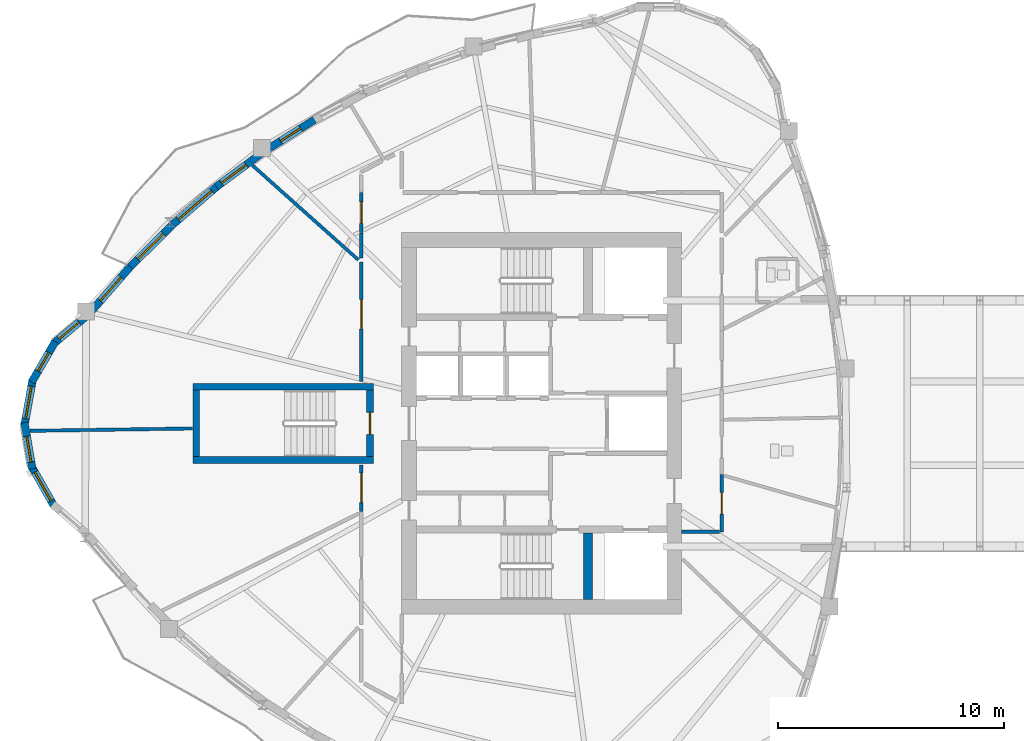
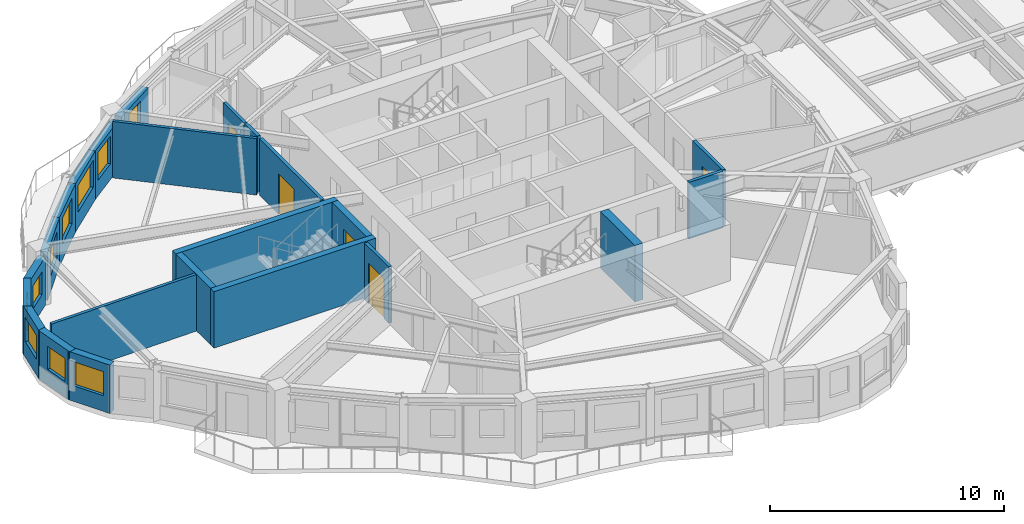
# One storey, part 5 of 13: 23 walls, 10 windows, 5 doors, 15 openings.
"""IFC4 building model written with IfcOpenShell, lengths in metres."""

from ifc_helpers import new_model, si_unit, direction, frame, frame_2d, origin, place, context, subcontext, project, spatial, rectangle, extrude, source, transform, mapped, material, layer, layer_set, type_object, element, fill, save


model = new_model("IFC4")

# Units and contexts
model_context = context("Model", 3, precision=1e-05, world=origin(), true_north=direction((0.0, 1.0)))
body_context = subcontext(model_context, "Body", "Model", "MODEL_VIEW")
ifc_project = project(units=[si_unit("LENGTHUNIT", "METRE"), si_unit("AREAUNIT", "SQUARE_METRE"), si_unit("VOLUMEUNIT", "CUBIC_METRE"), si_unit("PLANEANGLEUNIT", "RADIAN"), si_unit("MASSUNIT", "GRAM", prefix="KILO")], contexts=[model_context])

# Site, building, storey
site_placement = place(None, origin())
site = spatial("IfcSite", under=ifc_project, at=site_placement, CompositionType="ELEMENT")
building_placement = place(site_placement, origin())
building = spatial("IfcBuilding", under=site, at=building_placement, Name="Qafzar Sky-Pleat Residences", CompositionType="ELEMENT")
storey_placement = place(building_placement, frame((0.0, 0.0, 158.60009765625)))
storey = spatial("IfcBuildingStorey", under=building, at=storey_placement, Name="L47", CompositionType="ELEMENT", Elevation=158.60009765625)

# Wall, opening, door
ifc_material_1 = material(Name="Acoustic gypsum plasterboard partition", Category="gypsum")
ifc_layer_1 = layer(ifc_material_1, 0.159912109375)
ifc_layer_set_1 = layer_set([ifc_layer_1], Name="Acoustic gypsum plasterboard partition")
wall_type_1 = type_object("IfcWallType", Name="PART-COR-160", PredefinedType="PARTITIONING", material=ifc_layer_set_1)
wall_1_placement = place(storey_placement, frame((22.3701171875, 27.85009765625, 0.0), z_axis=(0.0, 0.0, 1.0), x_axis=(0.0, 1.0, 0.0)))
wall_1 = element("IfcWall", 1, at=wall_1_placement, inside=storey, type_object=wall_type_1, Name="L47 Partition Wall PART-L47-PW-003", PredefinedType="PARTITIONING", context=body_context, shape_type="SweptSolid", body=[
    extrude(rectangle(XDim=5.2939453125, YDim=0.159912109375, at=frame_2d((2.64697265625, 0.0))), origin(), (0.0, 0.0, 1.0), 2.949951171875),
])
opening_1_placement = place(wall_1_placement, frame((2.340576171875, 0.0, 0.0)))
opening_1 = element("IfcOpeningElement", 2, at=opening_1_placement, cuts=wall_1, Name="Opening ID-05", PredefinedType="OPENING", context=body_context, shape_type="SweptSolid", body=[
    extrude(rectangle(XDim=1.300048828125, YDim=2.10009765625, at=frame_2d((0.64990234375, 1.050048828125))), frame((0.0, 0.08984375, 0.0), z_axis=(0.0, -1.0, 0.0), x_axis=(1.0, 0.0, 0.0)), (0.0, 0.0, 1.0), 0.179931640625),
])
ifc_material_2 = material(Name="Timber-faced fire door", Category="wood")
door_type_1 = type_object("IfcDoorType", Name="DR-LNG-1300", OperationType="DOUBLE_DOOR_SINGLE_SWING", PredefinedType="DOOR", material=ifc_material_2)
shared_shape_1 = source(origin(), body_context, "Body", "SweptSolid", [
    extrude(rectangle(XDim=1.300048828125, YDim=2.10009765625, at=frame_2d((0.64990234375, 1.050048828125))), frame((0.0, 0.02490234375, 0.0), z_axis=(0.0, -1.0, 0.0), x_axis=(1.0, 0.0, 0.0)), (0.0, 0.0, 1.0), 0.050048828125),
])
door_1_placement = place(opening_1_placement, origin())
door_1 = element("IfcDoor", 3, at=door_1_placement, inside=storey, type_object=door_type_1, Name="L47 Tutorial Huddle Room Door", OperationType="DOUBLE_DOOR_SINGLE_SWING", OverallHeight=2.10009765625, OverallWidth=1.300048828125, PredefinedType="DOOR", context=body_context, shape_type="MappedRepresentation", body=[
    mapped(shared_shape_1, transform((0.0, 0.0, 0.0), x_axis=(1.0, 0.0, 0.0), y_axis=(0.0, 1.0, 0.0), z_axis=(0.0, 0.0, 1.0), scale=1.0)),
])
fill(opening_1, door_1)

wall_2_placement = place(storey_placement, frame((38.330078125, 23.735107421875, 0.0), z_axis=(0.0, 0.0, 1.0), x_axis=(0.0, -1.0, 0.0)))
wall_2 = element("IfcWall", 4, at=wall_2_placement, inside=storey, type_object=wall_type_1, Name="L47 Partition Wall PART-L47-PW-011", PredefinedType="PARTITIONING", context=body_context, shape_type="SweptSolid", body=[
    extrude(rectangle(XDim=2.53515625, YDim=0.159912109375, at=frame_2d((1.267578125, 0.0))), origin(), (0.0, 0.0, 1.0), 2.949951171875),
])
opening_2_placement = place(wall_2_placement, frame((0.79541015625, 0.0, 0.0)))
opening_2 = element("IfcOpeningElement", 5, at=opening_2_placement, cuts=wall_2, Name="Opening ID-06", PredefinedType="OPENING", context=body_context, shape_type="SweptSolid", body=[
    extrude(rectangle(XDim=0.9599609375, YDim=2.10009765625, at=frame_2d((0.47998046875, 1.050048828125))), frame((0.0, 0.08984375, 0.0), z_axis=(0.0, -1.0, 0.0), x_axis=(1.0, 0.0, 0.0)), (0.0, 0.0, 1.0), 0.179931640625),
])
door_type_2 = type_object("IfcDoorType", Name="DR-STD-960", OperationType="NOTDEFINED", PredefinedType="DOOR", material=ifc_material_2)
shared_shape_2 = source(origin(), body_context, "Body", "SweptSolid", [
    extrude(rectangle(XDim=0.9599609375, YDim=2.10009765625, at=frame_2d((0.47998046875, 1.050048828125))), frame((0.0, 0.02490234375, 0.0), z_axis=(0.0, -1.0, 0.0), x_axis=(1.0, 0.0, 0.0)), (0.0, 0.0, 1.0), 0.050048828125),
])
door_2_placement = place(opening_2_placement, origin())
door_2 = element("IfcDoor", 6, at=door_2_placement, inside=storey, type_object=door_type_2, Name="L47 Reading Library Door", OperationType="SINGLE_SWING_RIGHT", OverallHeight=2.10009765625, OverallWidth=0.9599609375, PredefinedType="DOOR", context=body_context, shape_type="MappedRepresentation", body=[
    mapped(shared_shape_2, transform((0.0, 0.0, 0.0), x_axis=(1.0, 0.0, 0.0), y_axis=(0.0, 1.0, 0.0), z_axis=(0.0, 0.0, 1.0), scale=1.0)),
])
fill(opening_2, door_2)

wall_3_placement = place(storey_placement, frame((22.3701171875, 22.093994140625, 0.0), z_axis=(0.0, 0.0, 1.0), x_axis=(0.0, 1.0, 0.0)))
wall_3 = element("IfcWall", 7, at=wall_3_placement, inside=storey, type_object=wall_type_1, Name="L47 Partition Wall PART-L47-PW-013", PredefinedType="PARTITIONING", context=body_context, shape_type="SweptSolid", body=[
    extrude(rectangle(XDim=2.055908203125, YDim=0.159912109375, at=frame_2d((1.02783203125, 0.0))), origin(), (0.0, 0.0, 1.0), 2.949951171875),
])
opening_3_placement = place(wall_3_placement, frame((0.39990234375, 0.0, 0.0)))
opening_3 = element("IfcOpeningElement", 8, at=opening_3_placement, cuts=wall_3, Name="Opening ID-05", PredefinedType="OPENING", context=body_context, shape_type="SweptSolid", body=[
    extrude(rectangle(XDim=1.300048828125, YDim=2.10009765625, at=frame_2d((0.64990234375, 1.050048828125))), frame((0.0, 0.08984375, 0.0), z_axis=(0.0, -1.0, 0.0), x_axis=(1.0, 0.0, 0.0)), (0.0, 0.0, 1.0), 0.179931640625),
])
door_3_placement = place(opening_3_placement, origin())
door_3 = element("IfcDoor", 9, at=door_3_placement, inside=storey, type_object=door_type_1, Name="L47 Research Conference Room Door", OperationType="DOUBLE_DOOR_SINGLE_SWING", OverallHeight=2.10009765625, OverallWidth=1.300048828125, PredefinedType="DOOR", context=body_context, shape_type="MappedRepresentation", body=[
    mapped(shared_shape_1, transform((0.0, 0.0, 0.0), x_axis=(1.0, 0.0, 0.0), y_axis=(0.0, 1.0, 0.0), z_axis=(0.0, 0.0, 1.0), scale=1.0)),
])
fill(opening_3, door_3)

wall_4_placement = place(storey_placement, frame((22.3701171875, 34.449951171875, 0.0), z_axis=(0.0, 0.0, 1.0), x_axis=(0.0, 1.0, 0.0)))
wall_4 = element("IfcWall", 10, at=wall_4_placement, inside=storey, type_object=wall_type_1, Name="L47 Partition Wall PART-L47-PW-015", PredefinedType="PARTITIONING", context=body_context, shape_type="SweptSolid", body=[
    extrude(rectangle(XDim=1.780029296875, YDim=0.159912109375, at=frame_2d((0.89013671875, 0.0))), origin(), (0.0, 0.0, 1.0), 2.949951171875),
])
opening_4_placement = place(wall_4_placement, frame((0.409912109375, 0.0, 0.0)))
opening_4 = element("IfcOpeningElement", 11, at=opening_4_placement, cuts=wall_4, Name="Opening ID-06", PredefinedType="OPENING", context=body_context, shape_type="SweptSolid", body=[
    extrude(rectangle(XDim=0.9599609375, YDim=2.10009765625, at=frame_2d((0.47998046875, 1.050048828125))), frame((0.0, 0.08984375, 0.0), z_axis=(0.0, -1.0, 0.0), x_axis=(1.0, 0.0, 0.0)), (0.0, 0.0, 1.0), 0.179931640625),
])
door_4_placement = place(opening_4_placement, origin())
door_4 = element("IfcDoor", 12, at=door_4_placement, inside=storey, type_object=door_type_2, Name="L47 Communal Kitchen Door", OperationType="SINGLE_SWING_LEFT", OverallHeight=2.10009765625, OverallWidth=0.9599609375, PredefinedType="DOOR", context=body_context, shape_type="MappedRepresentation", body=[
    mapped(shared_shape_2, transform((0.0, 0.0, 0.0), x_axis=(1.0, 0.0, 0.0), y_axis=(0.0, 1.0, 0.0), z_axis=(0.0, 0.0, 1.0), scale=1.0)),
])
fill(opening_4, door_4)

# Walls
wall_5_placement = place(storey_placement, frame((36.55810546875, 21.199951171875, 0.0), z_axis=(0.0, 0.0, 1.0), x_axis=(1.0, 0.0, 0.0)))
element("IfcWall", 13, at=wall_5_placement, inside=storey, type_object=wall_type_1, Name="L47 Partition Wall PART-L47-PW-032", PredefinedType="PARTITIONING", context=body_context, shape_type="SweptSolid", body=[
    extrude(rectangle(XDim=1.683837890625, YDim=0.159912109375, at=frame_2d((0.841796875, 0.0))), origin(), (0.0, 0.0, 1.0), 2.949951171875),
])
wall_6_placement = place(storey_placement, frame((22.3701171875, 33.335693359375, 0.0), z_axis=(0.0, 0.0, 1.0), x_axis=(0.0, 1.0, 0.0)))
element("IfcWall", 14, at=wall_6_placement, inside=storey, type_object=wall_type_1, Name="L47 Partition Wall PART-L47-PW-040", PredefinedType="PARTITIONING", context=body_context, shape_type="SweptSolid", body=[
    extrude(rectangle(XDim=1.099365234375, YDim=0.159912109375, at=frame_2d((0.5498046875, 0.0))), origin(), (0.0, 0.0, 1.0), 2.949951171875),
])
ifc_layer_2 = layer(ifc_material_1, 0.14501953125)
ifc_layer_set_2 = layer_set([ifc_layer_2], Name="Acoustic gypsum plasterboard partition")
wall_type_2 = type_object("IfcWallType", Name="PART-UNIT-145", PredefinedType="PARTITIONING", material=ifc_layer_set_2)
wall_7_placement = place(storey_placement, frame((7.689453125, 25.67138671875, 0.0), z_axis=(0.0, 0.0, 1.0), x_axis=(0.999894747293, 0.014508422953, 0.0)))
element("IfcWall", 15, at=wall_7_placement, inside=storey, type_object=wall_type_2, Name="L47 Partition Wall PART-L47-PW-019", PredefinedType="PARTITIONING", context=body_context, shape_type="SweptSolid", body=[
    extrude(rectangle(XDim=7.2021484375, YDim=0.14501953125, at=frame_2d((3.60107421875, 0.0))), origin(), (0.0, 0.0, 1.0), 2.949951171875),
])
wall_8_placement = place(storey_placement, frame((17.544921875, 37.431640625, 0.0), z_axis=(0.0, 0.0, 1.0), x_axis=(0.745965905636, -0.665984134668, 0.0)))
element("IfcWall", 16, at=wall_8_placement, inside=storey, type_object=wall_type_2, Name="L47 Partition Wall PART-L47-PW-021", PredefinedType="PARTITIONING", context=body_context, shape_type="SweptSolid", body=[
    extrude(rectangle(XDim=6.2880859375, YDim=0.14501953125, at=frame_2d((3.14404296875, 0.0))), origin(), (0.0, 0.0, 1.0), 2.949951171875),
])

# Wall, opening, window
ifc_material_3 = material(Name="Precast concrete C40/50 with honed Riyadh limestone", Category="concrete")
ifc_layer_3 = layer(ifc_material_3, 0.340087890625)
ifc_layer_set_3 = layer_set([ifc_layer_3], Name="Precast concrete C40/50 with honed Riyadh limestone")
wall_type_3 = type_object("IfcWallType", Name="WALL-EXT-340", PredefinedType="SOLIDWALL", material=ifc_layer_set_3)
wall_9_placement = place(storey_placement, frame((10.1640625, 30.737548828125, 0.0), z_axis=(0.0, 0.0, 1.0), x_axis=(-0.766501557267, -0.64224244854, 0.0)))
wall_9 = element("IfcWall", 17, at=wall_9_placement, inside=storey, type_object=wall_type_3, Name="L47 Limestone Facade Wall 1", PredefinedType="SOLIDWALL", context=body_context, shape_type="SweptSolid", body=[
    extrude(rectangle(XDim=1.88818359375, YDim=0.340087890625, at=frame_2d((0.944091796875, 0.0))), origin(), (0.0, 0.0, 1.0), 2.52978515625),
])
opening_5_placement = place(wall_9_placement, frame((0.404052734375, 0.0, 0.820068359375)))
opening_5 = element("IfcOpeningElement", 18, at=opening_5_placement, cuts=wall_9, Name="Opening WN-16", PredefinedType="OPENING", context=body_context, shape_type="SweptSolid", body=[
    extrude(rectangle(XDim=1.14990234375, YDim=1.199951171875, at=frame_2d((0.574951171875, 0.60009765625))), frame((0.0, 0.18017578125, 0.0), z_axis=(0.0, -1.0, 0.0), x_axis=(1.0, 0.0, 0.0)), (0.0, 0.0, 1.0), 0.360107421875),
])
ifc_material_4 = material(Name="Solar-control low-E glass in bronze aluminium frame", Category="glass")
window_type_1 = type_object("IfcWindowType", Name="WIN-16", PartitioningType="SINGLE_PANEL", PredefinedType="WINDOW", material=ifc_material_4)
shared_shape_3 = source(origin(), body_context, "Body", "SweptSolid", [
    extrude(rectangle(XDim=1.14990234375, YDim=1.199951171875, at=frame_2d((0.574951171875, 0.60009765625))), frame((0.0, 0.030029296875, 0.0), z_axis=(0.0, -1.0, 0.0), x_axis=(1.0, 0.0, 0.0)), (0.0, 0.0, 1.0), 0.06005859375),
])
window_1_placement = place(opening_5_placement, origin())
window_1 = element("IfcWindow", 19, at=window_1_placement, inside=storey, type_object=window_type_1, Name="L47 Punched Facade Window 01", OverallHeight=1.199951171875, OverallWidth=1.14990234375, PartitioningType="SINGLE_PANEL", PredefinedType="WINDOW", context=body_context, shape_type="MappedRepresentation", body=[
    mapped(shared_shape_3, transform((0.0, 0.0, 0.0), x_axis=(1.0, 0.0, 0.0), y_axis=(0.0, 1.0, 0.0), z_axis=(0.0, 0.0, 1.0), scale=1.0)),
])
fill(opening_5, window_1)

wall_10_placement = place(storey_placement, frame((8.802734375, 29.627197265625, 0.0), z_axis=(0.0, 0.0, 1.0), x_axis=(-0.502090235641, -0.864815237651, 0.0)))
wall_10 = element("IfcWall", 20, at=wall_10_placement, inside=storey, type_object=wall_type_3, Name="L47 Limestone Facade Wall 2", PredefinedType="SOLIDWALL", context=body_context, shape_type="SweptSolid", body=[
    extrude(rectangle(XDim=2.0810546875, YDim=0.340087890625, at=frame_2d((1.04052734375, 0.0))), origin(), (0.0, 0.0, 1.0), 2.52978515625),
])
opening_6_placement = place(wall_10_placement, frame((0.5654296875, 0.0, 0.820068359375)))
opening_6 = element("IfcOpeningElement", 21, at=opening_6_placement, cuts=wall_10, Name="Opening WN-12", PredefinedType="OPENING", context=body_context, shape_type="SweptSolid", body=[
    extrude(rectangle(XDim=0.949951171875, YDim=1.35009765625, at=frame_2d((0.47509765625, 0.675048828125))), frame((0.0, 0.18017578125, 0.0), z_axis=(0.0, -1.0, 0.0), x_axis=(1.0, 0.0, 0.0)), (0.0, 0.0, 1.0), 0.360107421875),
])
window_type_2 = type_object("IfcWindowType", Name="WIN-12", PartitioningType="SINGLE_PANEL", PredefinedType="WINDOW", material=ifc_material_4)
shared_shape_4 = source(origin(), body_context, "Body", "SweptSolid", [
    extrude(rectangle(XDim=0.949951171875, YDim=1.35009765625, at=frame_2d((0.47509765625, 0.675048828125))), frame((0.0, 0.030029296875, 0.0), z_axis=(0.0, -1.0, 0.0), x_axis=(1.0, 0.0, 0.0)), (0.0, 0.0, 1.0), 0.06005859375),
])
window_2_placement = place(opening_6_placement, origin())
window_2 = element("IfcWindow", 22, at=window_2_placement, inside=storey, type_object=window_type_2, Name="L47 Punched Facade Window 02", OverallHeight=1.35009765625, OverallWidth=0.949951171875, PartitioningType="SINGLE_PANEL", PredefinedType="WINDOW", context=body_context, shape_type="MappedRepresentation", body=[
    mapped(shared_shape_4, transform((0.0, 0.0, 0.0), x_axis=(1.0, 0.0, 0.0), y_axis=(0.0, 1.0, 0.0), z_axis=(0.0, 0.0, 1.0), scale=1.0)),
])
fill(opening_6, window_2)

wall_11_placement = place(storey_placement, frame((7.803955078125, 27.952880859375, 0.0), z_axis=(0.0, 0.0, 1.0), x_axis=(-0.177605215389, -0.984101817632, 0.0)))
wall_11 = element("IfcWall", 23, at=wall_11_placement, inside=storey, type_object=wall_type_3, Name="L47 Limestone Facade Wall 3", PredefinedType="SOLIDWALL", context=body_context, shape_type="SweptSolid", body=[
    extrude(rectangle(XDim=2.081298828125, YDim=0.340087890625, at=frame_2d((1.04052734375, 0.0))), origin(), (0.0, 0.0, 1.0), 2.52978515625),
])
opening_7_placement = place(wall_11_placement, frame((0.315673828125, 0.0, 0.820068359375)))
opening_7 = element("IfcOpeningElement", 24, at=opening_7_placement, cuts=wall_11, Name="Opening WN-15", PredefinedType="OPENING", context=body_context, shape_type="SweptSolid", body=[
    extrude(rectangle(XDim=1.449951171875, YDim=1.25, at=frame_2d((0.72509765625, 0.625))), frame((0.0, 0.18017578125, 0.0), z_axis=(0.0, -1.0, 0.0), x_axis=(1.0, 0.0, 0.0)), (0.0, 0.0, 1.0), 0.360107421875),
])
window_type_3 = type_object("IfcWindowType", Name="WIN-15", PartitioningType="SINGLE_PANEL", PredefinedType="WINDOW", material=ifc_material_4)
shared_shape_5 = source(origin(), body_context, "Body", "SweptSolid", [
    extrude(rectangle(XDim=1.449951171875, YDim=1.25, at=frame_2d((0.72509765625, 0.625))), frame((0.0, 0.030029296875, 0.0), z_axis=(0.0, -1.0, 0.0), x_axis=(1.0, 0.0, 0.0)), (0.0, 0.0, 1.0), 0.06005859375),
])
window_3_placement = place(opening_7_placement, origin())
window_3 = element("IfcWindow", 25, at=window_3_placement, inside=storey, type_object=window_type_3, Name="L47 Punched Facade Window 03", OverallHeight=1.25, OverallWidth=1.449951171875, PartitioningType="SINGLE_PANEL", PredefinedType="WINDOW", context=body_context, shape_type="MappedRepresentation", body=[
    mapped(shared_shape_5, transform((0.0, 0.0, 0.0), x_axis=(1.0, 0.0, 0.0), y_axis=(0.0, 1.0, 0.0), z_axis=(0.0, 0.0, 1.0), scale=1.0)),
])
fill(opening_7, window_3)

wall_12_placement = place(storey_placement, frame((7.43505859375, 26.038330078125, 0.0), z_axis=(0.0, 0.0, 1.0), x_axis=(0.168107405166, -0.985768685001, 0.0)))
wall_12 = element("IfcWall", 26, at=wall_12_placement, inside=storey, type_object=wall_type_3, Name="L47 Limestone Facade Wall 4", PredefinedType="SOLIDWALL", context=body_context, shape_type="SweptSolid", body=[
    extrude(rectangle(XDim=2.0810546875, YDim=0.340087890625, at=frame_2d((1.04052734375, 0.0))), origin(), (0.0, 0.0, 1.0), 2.52978515625),
])
opening_8_placement = place(wall_12_placement, frame((0.62548828125, 0.0, 0.820068359375)))
opening_8 = element("IfcOpeningElement", 27, at=opening_8_placement, cuts=wall_12, Name="Opening WN-16", PredefinedType="OPENING", context=body_context, shape_type="SweptSolid", body=[
    extrude(rectangle(XDim=1.14990234375, YDim=1.199951171875, at=frame_2d((0.574951171875, 0.60009765625))), frame((0.0, 0.18017578125, 0.0), z_axis=(0.0, -1.0, 0.0), x_axis=(1.0, 0.0, 0.0)), (0.0, 0.0, 1.0), 0.360107421875),
])
window_4_placement = place(opening_8_placement, origin())
window_4 = element("IfcWindow", 28, at=window_4_placement, inside=storey, type_object=window_type_1, Name="L47 Punched Facade Window 04", OverallHeight=1.199951171875, OverallWidth=1.14990234375, PartitioningType="SINGLE_PANEL", PredefinedType="WINDOW", context=body_context, shape_type="MappedRepresentation", body=[
    mapped(shared_shape_3, transform((0.0, 0.0, 0.0), x_axis=(1.0, 0.0, 0.0), y_axis=(0.0, 1.0, 0.0), z_axis=(0.0, 0.0, 1.0), scale=1.0)),
])
fill(opening_8, window_4)

wall_13_placement = place(storey_placement, frame((7.739990234375, 24.11279296875, 0.0), z_axis=(0.0, 0.0, 1.0), x_axis=(0.493660675866, -0.869654607936, 0.0)))
wall_13 = element("IfcWall", 29, at=wall_13_placement, inside=storey, type_object=wall_type_3, Name="L47 Limestone Facade Wall 5", PredefinedType="SOLIDWALL", context=body_context, shape_type="SweptSolid", body=[
    extrude(rectangle(XDim=2.0810546875, YDim=0.340087890625, at=frame_2d((1.04052734375, 0.0))), origin(), (0.0, 0.0, 1.0), 2.52978515625),
])
opening_9_placement = place(wall_13_placement, frame((0.315673828125, 0.0, 0.820068359375)))
opening_9 = element("IfcOpeningElement", 30, at=opening_9_placement, cuts=wall_13, Name="Opening WN-15", PredefinedType="OPENING", context=body_context, shape_type="SweptSolid", body=[
    extrude(rectangle(XDim=1.449951171875, YDim=1.25, at=frame_2d((0.72509765625, 0.625))), frame((0.0, 0.18017578125, 0.0), z_axis=(0.0, -1.0, 0.0), x_axis=(1.0, 0.0, 0.0)), (0.0, 0.0, 1.0), 0.360107421875),
])
window_5_placement = place(opening_9_placement, origin())
window_5 = element("IfcWindow", 31, at=window_5_placement, inside=storey, type_object=window_type_3, Name="L47 Punched Facade Window 05", OverallHeight=1.25, OverallWidth=1.449951171875, PartitioningType="SINGLE_PANEL", PredefinedType="WINDOW", context=body_context, shape_type="MappedRepresentation", body=[
    mapped(shared_shape_5, transform((0.0, 0.0, 0.0), x_axis=(1.0, 0.0, 0.0), y_axis=(0.0, 1.0, 0.0), z_axis=(0.0, 0.0, 1.0), scale=1.0)),
])
fill(opening_9, window_5)

wall_14_placement = place(storey_placement, frame((20.284423828125, 39.452392578125, 0.0), z_axis=(0.0, 0.0, 1.0), x_axis=(-0.846415587119, -0.532522913951, 0.0)))
wall_14 = element("IfcWall", 32, at=wall_14_placement, inside=storey, type_object=wall_type_3, Name="L47 Limestone Facade Wall 44", PredefinedType="SOLIDWALL", context=body_context, shape_type="SweptSolid", body=[
    extrude(rectangle(XDim=2.4755859375, YDim=0.340087890625, at=frame_2d((1.23779296875, 0.0))), origin(), (0.0, 0.0, 1.0), 2.52978515625),
])
opening_10_placement = place(wall_14_placement, frame((0.718017578125, 0.0, 0.820068359375)))
opening_10 = element("IfcOpeningElement", 33, at=opening_10_placement, cuts=wall_14, Name="Opening WN-06", PredefinedType="OPENING", context=body_context, shape_type="SweptSolid", body=[
    extrude(rectangle(XDim=1.050048828125, YDim=1.449951171875, at=frame_2d((0.52490234375, 0.72509765625))), frame((0.0, 0.18017578125, 0.0), z_axis=(0.0, -1.0, 0.0), x_axis=(1.0, 0.0, 0.0)), (0.0, 0.0, 1.0), 0.360107421875),
])
window_type_4 = type_object("IfcWindowType", Name="WIN-06", PartitioningType="SINGLE_PANEL", PredefinedType="WINDOW", material=ifc_material_4)
shared_shape_6 = source(origin(), body_context, "Body", "SweptSolid", [
    extrude(rectangle(XDim=1.050048828125, YDim=1.449951171875, at=frame_2d((0.52490234375, 0.72509765625))), frame((0.0, 0.030029296875, 0.0), z_axis=(0.0, -1.0, 0.0), x_axis=(1.0, 0.0, 0.0)), (0.0, 0.0, 1.0), 0.06005859375),
])
window_6_placement = place(opening_10_placement, origin())
window_6 = element("IfcWindow", 34, at=window_6_placement, inside=storey, type_object=window_type_4, Name="L47 Punched Facade Window 44", OverallHeight=1.449951171875, OverallWidth=1.050048828125, PartitioningType="SINGLE_PANEL", PredefinedType="WINDOW", context=body_context, shape_type="MappedRepresentation", body=[
    mapped(shared_shape_6, transform((0.0, 0.0, 0.0), x_axis=(1.0, 0.0, 0.0), y_axis=(0.0, 1.0, 0.0), z_axis=(0.0, 0.0, 1.0), scale=1.0)),
])
fill(opening_10, window_6)

wall_15_placement = place(storey_placement, frame((17.94384765625, 37.966552734375, 0.0), z_axis=(0.0, 0.0, 1.0), x_axis=(-0.803795025682, -0.594906342788, 0.0)))
wall_15 = element("IfcWall", 35, at=wall_15_placement, inside=storey, type_object=wall_type_3, Name="L47 Limestone Facade Wall 45", PredefinedType="SOLIDWALL", context=body_context, shape_type="SweptSolid", body=[
    extrude(rectangle(XDim=2.49072265625, YDim=0.340087890625, at=frame_2d((1.245361328125, 0.0))), origin(), (0.0, 0.0, 1.0), 2.52978515625),
])
opening_11_placement = place(wall_15_placement, frame((0.853271484375, 0.0, 0.820068359375)))
opening_11 = element("IfcOpeningElement", 36, at=opening_11_placement, cuts=wall_15, Name="Opening WN-04", PredefinedType="OPENING", context=body_context, shape_type="SweptSolid", body=[
    extrude(rectangle(XDim=1.35009765625, YDim=1.449951171875, at=frame_2d((0.675048828125, 0.72509765625))), frame((0.0, 0.18017578125, 0.0), z_axis=(0.0, -1.0, 0.0), x_axis=(1.0, 0.0, 0.0)), (0.0, 0.0, 1.0), 0.360107421875),
])
window_type_5 = type_object("IfcWindowType", Name="WIN-04", PartitioningType="SINGLE_PANEL", PredefinedType="WINDOW", material=ifc_material_4)
shared_shape_7 = source(origin(), body_context, "Body", "SweptSolid", [
    extrude(rectangle(XDim=1.35009765625, YDim=1.449951171875, at=frame_2d((0.675048828125, 0.72509765625))), frame((0.0, 0.030029296875, 0.0), z_axis=(0.0, -1.0, 0.0), x_axis=(1.0, 0.0, 0.0)), (0.0, 0.0, 1.0), 0.06005859375),
])
window_7_placement = place(opening_11_placement, origin())
window_7 = element("IfcWindow", 37, at=window_7_placement, inside=storey, type_object=window_type_5, Name="L47 Punched Facade Window 45-2", OverallHeight=1.449951171875, OverallWidth=1.35009765625, PartitioningType="SINGLE_PANEL", PredefinedType="WINDOW", context=body_context, shape_type="MappedRepresentation", body=[
    mapped(shared_shape_7, transform((0.0, 0.0, 0.0), x_axis=(1.0, 0.0, 0.0), y_axis=(0.0, 1.0, 0.0), z_axis=(0.0, 0.0, 1.0), scale=1.0)),
])
fill(opening_11, window_7)

wall_16_placement = place(storey_placement, frame((16.010986328125, 36.540283203125, 0.0), z_axis=(0.0, 0.0, 1.0), x_axis=(-0.757442887734, -0.652901425807, 0.0)))
wall_16 = element("IfcWall", 38, at=wall_16_placement, inside=storey, type_object=wall_type_3, Name="L47 Limestone Facade Wall 46", PredefinedType="SOLIDWALL", context=body_context, shape_type="SweptSolid", body=[
    extrude(rectangle(XDim=2.6552734375, YDim=0.340087890625, at=frame_2d((1.32763671875, 0.0))), origin(), (0.0, 0.0, 1.0), 2.52978515625),
])
opening_12_placement = place(wall_16_placement, frame((0.362548828125, 0.0, 0.820068359375)))
opening_12 = element("IfcOpeningElement", 39, at=opening_12_placement, cuts=wall_16, Name="Opening WN-08", PredefinedType="OPENING", context=body_context, shape_type="SweptSolid", body=[
    extrude(rectangle(XDim=1.949951171875, YDim=1.39990234375, at=frame_2d((0.97509765625, 0.699951171875))), frame((0.0, 0.18017578125, 0.0), z_axis=(0.0, -1.0, 0.0), x_axis=(1.0, 0.0, 0.0)), (0.0, 0.0, 1.0), 0.360107421875),
])
window_type_6 = type_object("IfcWindowType", Name="WIN-08", PartitioningType="DOUBLE_PANEL_VERTICAL", PredefinedType="WINDOW", material=ifc_material_4)
shared_shape_8 = source(origin(), body_context, "Body", "SweptSolid", [
    extrude(rectangle(XDim=1.949951171875, YDim=1.39990234375, at=frame_2d((0.97509765625, 0.699951171875))), frame((0.0, 0.030029296875, 0.0), z_axis=(0.0, -1.0, 0.0), x_axis=(1.0, 0.0, 0.0)), (0.0, 0.0, 1.0), 0.06005859375),
])
window_8_placement = place(opening_12_placement, origin())
window_8 = element("IfcWindow", 40, at=window_8_placement, inside=storey, type_object=window_type_6, Name="L47 Punched Facade Window 46", OverallHeight=1.39990234375, OverallWidth=1.949951171875, PartitioningType="SINGLE_PANEL", PredefinedType="WINDOW", context=body_context, shape_type="MappedRepresentation", body=[
    mapped(shared_shape_8, transform((0.0, 0.0, 0.0), x_axis=(1.0, 0.0, 0.0), y_axis=(0.0, 1.0, 0.0), z_axis=(0.0, 0.0, 1.0), scale=1.0)),
])
fill(opening_12, window_8)

wall_17_placement = place(storey_placement, frame((13.9794921875, 34.787841796875, 0.0), z_axis=(0.0, 0.0, 1.0), x_axis=(-0.708417113386, -0.705794016312, 0.0)))
wall_17 = element("IfcWall", 41, at=wall_17_placement, inside=storey, type_object=wall_type_3, Name="L47 Limestone Facade Wall 47", PredefinedType="SOLIDWALL", context=body_context, shape_type="SweptSolid", body=[
    extrude(rectangle(XDim=2.69921875, YDim=0.340087890625, at=frame_2d((1.349609375, 0.0))), origin(), (0.0, 0.0, 1.0), 2.52978515625),
])
opening_13_placement = place(wall_17_placement, frame((0.53955078125, 0.0, 0.820068359375)))
opening_13 = element("IfcOpeningElement", 42, at=opening_13_placement, cuts=wall_17, Name="Opening WN-09", PredefinedType="OPENING", context=body_context, shape_type="SweptSolid", body=[
    extrude(rectangle(XDim=1.60009765625, YDim=1.35009765625, at=frame_2d((0.800048828125, 0.675048828125))), frame((0.0, 0.18017578125, 0.0), z_axis=(0.0, -1.0, 0.0), x_axis=(1.0, 0.0, 0.0)), (0.0, 0.0, 1.0), 0.360107421875),
])
window_type_7 = type_object("IfcWindowType", Name="WIN-09", PartitioningType="DOUBLE_PANEL_VERTICAL", PredefinedType="WINDOW", material=ifc_material_4)
shared_shape_9 = source(origin(), body_context, "Body", "SweptSolid", [
    extrude(rectangle(XDim=1.60009765625, YDim=1.35009765625, at=frame_2d((0.800048828125, 0.675048828125))), frame((0.0, 0.030029296875, 0.0), z_axis=(0.0, -1.0, 0.0), x_axis=(1.0, 0.0, 0.0)), (0.0, 0.0, 1.0), 0.06005859375),
])
window_9_placement = place(opening_13_placement, origin())
window_9 = element("IfcWindow", 43, at=window_9_placement, inside=storey, type_object=window_type_7, Name="L47 Punched Facade Window 47", OverallHeight=1.35009765625, OverallWidth=1.60009765625, PartitioningType="SINGLE_PANEL", PredefinedType="WINDOW", context=body_context, shape_type="MappedRepresentation", body=[
    mapped(shared_shape_9, transform((0.0, 0.0, 0.0), x_axis=(1.0, 0.0, 0.0), y_axis=(0.0, 1.0, 0.0), z_axis=(0.0, 0.0, 1.0), scale=1.0)),
])
fill(opening_13, window_9)

wall_18_placement = place(storey_placement, frame((12.12744140625, 32.947021484375, 0.0), z_axis=(0.0, 0.0, 1.0), x_axis=(-0.657607305641, -0.753360890655, 0.0)))
wall_18 = element("IfcWall", 44, at=wall_18_placement, inside=storey, type_object=wall_type_3, Name="L47 Limestone Facade Wall 48", PredefinedType="SOLIDWALL", context=body_context, shape_type="SweptSolid", body=[
    extrude(rectangle(XDim=2.62109375, YDim=0.340087890625, at=frame_2d((1.310546875, 0.0))), origin(), (0.0, 0.0, 1.0), 2.52978515625),
])
opening_14_placement = place(wall_18_placement, frame((0.615478515625, 0.0, 0.820068359375)))
opening_14 = element("IfcOpeningElement", 45, at=opening_14_placement, cuts=wall_18, Name="Opening WN-10", PredefinedType="OPENING", context=body_context, shape_type="SweptSolid", body=[
    extrude(rectangle(XDim=1.39990234375, YDim=1.35009765625, at=frame_2d((0.699951171875, 0.675048828125))), frame((0.0, 0.18017578125, 0.0), z_axis=(0.0, -1.0, 0.0), x_axis=(1.0, 0.0, 0.0)), (0.0, 0.0, 1.0), 0.360107421875),
])
window_type_8 = type_object("IfcWindowType", Name="WIN-10", PartitioningType="SINGLE_PANEL", PredefinedType="WINDOW", material=ifc_material_4)
shared_shape_10 = source(origin(), body_context, "Body", "SweptSolid", [
    extrude(rectangle(XDim=1.39990234375, YDim=1.35009765625, at=frame_2d((0.699951171875, 0.675048828125))), frame((0.0, 0.030029296875, 0.0), z_axis=(0.0, -1.0, 0.0), x_axis=(1.0, 0.0, 0.0)), (0.0, 0.0, 1.0), 0.06005859375),
])
window_10_placement = place(opening_14_placement, origin())
window_10 = element("IfcWindow", 46, at=window_10_placement, inside=storey, type_object=window_type_8, Name="L47 Punched Facade Window 48", OverallHeight=1.35009765625, OverallWidth=1.39990234375, PartitioningType="SINGLE_PANEL", PredefinedType="WINDOW", context=body_context, shape_type="MappedRepresentation", body=[
    mapped(shared_shape_10, transform((0.0, 0.0, 0.0), x_axis=(1.0, 0.0, 0.0), y_axis=(0.0, 1.0, 0.0), z_axis=(0.0, 0.0, 1.0), scale=1.0)),
])
fill(opening_14, window_10)

# Walls
ifc_material_5 = material(Name="Concrete C60/75", Category="concrete")
ifc_layer_4 = layer(ifc_material_5, 0.300048828125)
ifc_layer_set_4 = layer_set([ifc_layer_4], Name="Concrete C60/75")
wall_type_4 = type_object("IfcWallType", Name="WALL-SHEAR-300", PredefinedType="SHEAR", material=ifc_layer_set_4)
for number, where, z_axis, x_axis, name in (
    (47, (14.89990234375, 24.375, 0.0), (0.0, 0.0, 1.0), (1.0, 0.0, 0.0), "L47 ST3 wall S"),
    (48, (22.89990234375, 27.625, 0.0), (0.0, 0.0, 1.0), (-1.0, 0.0, 0.0), "L47 ST3 wall N"),
):
    element("IfcWall", number, at=place(storey_placement, frame(where, z_axis=z_axis, x_axis=x_axis)), inside=storey, type_object=wall_type_4, Name=name, PredefinedType="SHEAR", context=body_context, shape_type="SweptSolid", body=[
        extrude(rectangle(XDim=8.0, YDim=0.300048828125, at=frame_2d((4.0, 0.0))), origin(), (0.0, 0.0, 1.0), 2.949951171875),
    ])
wall_19_placement = place(storey_placement, frame((15.050048828125, 27.47509765625, 0.0), z_axis=(0.0, 0.0, 1.0), x_axis=(0.0, -1.0, 0.0)))
element("IfcWall", 49, at=wall_19_placement, inside=storey, type_object=wall_type_4, Name="L47 ST3 wall W", PredefinedType="SHEAR", context=body_context, shape_type="SweptSolid", body=[
    extrude(rectangle(XDim=2.9501953125, YDim=0.300048828125, at=frame_2d((1.47509765625, 0.0))), origin(), (0.0, 0.0, 1.0), 2.949951171875),
])

# Wall, opening, door
wall_20_placement = place(storey_placement, frame((22.75, 24.52490234375, 0.0), z_axis=(0.0, 0.0, 1.0), x_axis=(0.0, 1.0, 0.0)))
wall_20 = element("IfcWall", 50, at=wall_20_placement, inside=storey, type_object=wall_type_4, Name="L47 ST3 wall E", PredefinedType="SHEAR", context=body_context, shape_type="SweptSolid", body=[
    extrude(rectangle(XDim=2.9501953125, YDim=0.300048828125, at=frame_2d((1.47509765625, 0.0))), origin(), (0.0, 0.0, 1.0), 2.949951171875),
])
opening_15_placement = place(wall_20_placement, frame((0.985107421875, 0.0, 0.0)))
opening_15 = element("IfcOpeningElement", 51, at=opening_15_placement, cuts=wall_20, Name="Opening ID-01", PredefinedType="OPENING", context=body_context, shape_type="SweptSolid", body=[
    extrude(rectangle(XDim=0.97998046875, YDim=2.14990234375, at=frame_2d((0.489990234375, 1.074951171875))), frame((0.0, 0.16015625, 0.0), z_axis=(0.0, -1.0, 0.0), x_axis=(1.0, 0.0, 0.0)), (0.0, 0.0, 1.0), 0.320068359375),
])
door_type_3 = type_object("IfcDoorType", Name="DR-STAIR-980", OperationType="NOTDEFINED", PredefinedType="DOOR", material=ifc_material_2)
shared_shape_11 = source(origin(), body_context, "Body", "SweptSolid", [
    extrude(rectangle(XDim=0.97998046875, YDim=2.14990234375, at=frame_2d((0.489990234375, 1.074951171875))), frame((0.0, 0.02490234375, 0.0), z_axis=(0.0, -1.0, 0.0), x_axis=(1.0, 0.0, 0.0)), (0.0, 0.0, 1.0), 0.050048828125),
])
door_5_placement = place(opening_15_placement, origin())
door_5 = element("IfcDoor", 52, at=door_5_placement, inside=storey, type_object=door_type_3, Name="L47 Stair ST3 Fire Door", OperationType="SINGLE_SWING_LEFT", OverallHeight=2.14990234375, OverallWidth=0.97998046875, PredefinedType="DOOR", context=body_context, shape_type="MappedRepresentation", body=[
    mapped(shared_shape_11, transform((0.0, 0.0, 0.0), x_axis=(1.0, 0.0, 0.0), y_axis=(0.0, 1.0, 0.0), z_axis=(0.0, 0.0, 1.0), scale=1.0)),
])
fill(opening_15, door_5)

# Wall
ifc_layer_5 = layer(ifc_material_5, 0.39990234375)
ifc_layer_set_5 = layer_set([ifc_layer_5], Name="Concrete C60/75")
wall_type_5 = type_object("IfcWallType", Name="WALL-SHEAR-400", PredefinedType="SHEAR", material=ifc_layer_set_5)
wall_21_placement = place(storey_placement, frame((32.39990234375, 18.199951171875, 0.0), z_axis=(0.0, 0.0, 1.0), x_axis=(0.0, 1.0, 0.0)))
element("IfcWall", 53, at=wall_21_placement, inside=storey, type_object=wall_type_5, Name="L47 Stair ST1 East Dividing Wall", PredefinedType="SHEAR", context=body_context, shape_type="SweptSolid", body=[
    extrude(rectangle(XDim=2.949951171875, YDim=0.39990234375, at=frame_2d((1.47509765625, 0.0))), origin(), (0.0, 0.0, 1.0), 2.949951171875),
])

save(model, "model.ifc")
